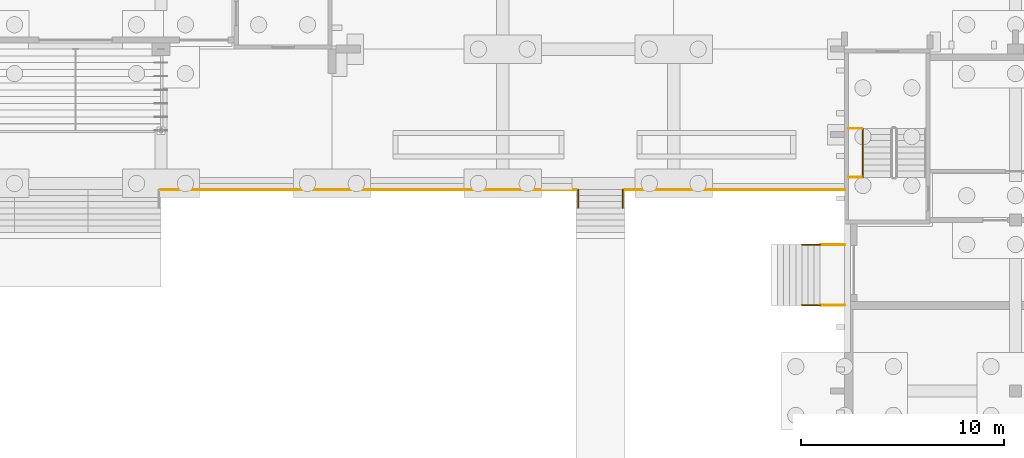
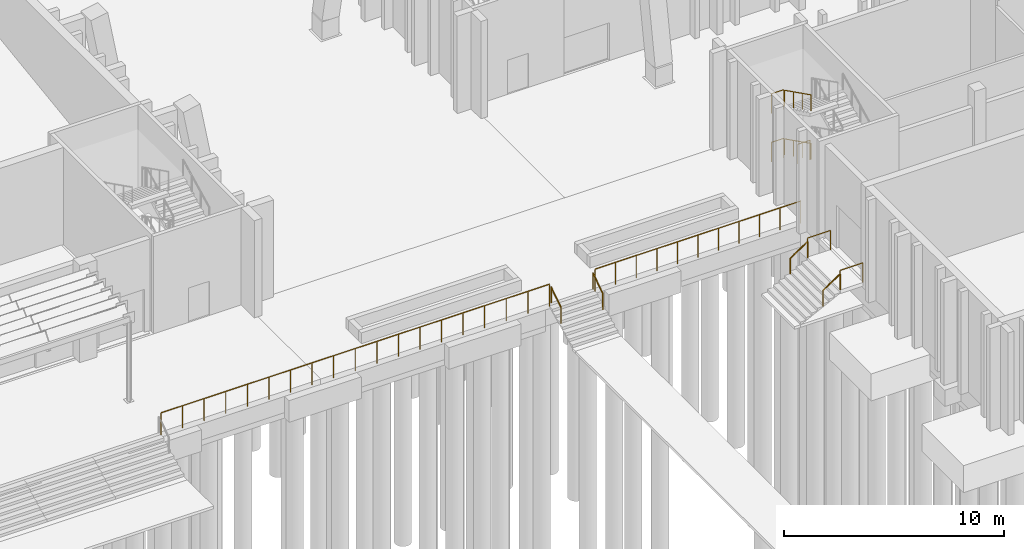
# One storey, part 111 of 129: 13 railings.
"""IFC4 building model written with IfcOpenShell, lengths in metres."""

from ifc_helpers import new_model, si_unit, direction, frame, origin, origin_2d, place, context, subcontext, project, spatial, circle, extrude, material, type_object, element, save


model = new_model("IFC4")

# Units and contexts
model_context = context("Model", 3, precision=1e-05, world=origin(), true_north=direction((0.0, 1.0)))
body_context = subcontext(model_context, "Body", "Model", "MODEL_VIEW")
ifc_project = project(units=[si_unit("LENGTHUNIT", "METRE"), si_unit("AREAUNIT", "SQUARE_METRE"), si_unit("VOLUMEUNIT", "CUBIC_METRE"), si_unit("PLANEANGLEUNIT", "RADIAN"), si_unit("MASSUNIT", "GRAM", prefix="KILO")], contexts=[model_context])

# Site, building, storey
site_placement = place(None, origin())
site = spatial("IfcSite", under=ifc_project, at=site_placement, CompositionType="ELEMENT")
building_placement = place(site_placement, origin())
building = spatial("IfcBuilding", under=site, at=building_placement, Name="Kiln Court Media Centre", CompositionType="ELEMENT")
storey_placement = place(building_placement, origin())
storey = spatial("IfcBuildingStorey", under=building, at=storey_placement, Name="L00", CompositionType="ELEMENT", Elevation=0.0)

# Railings
ifc_material_1 = material(Name="Steel S275", Category="steel")
railing_type_1 = type_object("IfcRailingType", Name="Steel S275 stair guard 1100", PredefinedType="GUARDRAIL", material=ifc_material_1)
for number, where, name in (
    (1, (126.85009765625, 21.300048828125, 1.35009765625), "ST-16 landing edge guard"),
    (2, (126.85009765625, 18.89990234375, 2.699951171875), "ST-16 landing edge guard"),
    (3, (126.85009765625, 21.300048828125, 4.050048828125), "ST-16 landing edge guard"),
):
    element("IfcRailing", number, at=place(storey_placement, frame(where)), inside=storey, type_object=railing_type_1, Name=name, PredefinedType="GUARDRAIL", context=body_context, shape_type="SweptSolid", body=[
        extrude(circle(Radius=0.02392578125, at=origin_2d()), frame((0.0, 0.0, 1.076171875), z_axis=(-1.0, 0.0, 0.0), x_axis=(0.0, -1.0, 0.0)), (0.0, 0.0, 1.0), 0.650146484375),
        extrude(circle(Radius=0.02099609375, at=origin_2d()), origin(), (0.0, 0.0, 1.0), 1.052001953125),
        extrude(circle(Radius=0.02099609375, at=origin_2d()), frame((-0.650146484375, 0.0, 0.0)), (0.0, 0.0, 1.0), 1.052001953125),
    ])
ifc_material_2 = material(Name="Steel S275", Category="steel")
railing_type_2 = type_object("IfcRailingType", Name="Steel S275 stair handrail 900", PredefinedType="HANDRAIL", material=ifc_material_2)
for number, where, name in (
    (4, (126.89990234375, 21.300048828125, 1.5), "ST-16 stair handrail"),
    (5, (126.89990234375, 21.300048828125, 4.199951171875), "ST-16 stair handrail"),
):
    element("IfcRailing", number, at=place(storey_placement, frame(where)), inside=storey, type_object=railing_type_2, Name=name, PredefinedType="HANDRAIL", context=body_context, shape_type="SweptSolid", body=[
        extrude(circle(Radius=0.02392578125, at=origin_2d()), frame((0.0, 0.0, 0.8759765625), z_axis=(0.0, -0.894445386687, 0.447177202275), x_axis=(1.0, 0.0, 0.0)), (0.0, 0.0, 1.0), 2.683349609375),
        extrude(circle(Radius=0.02099609375, at=origin_2d()), origin(), (0.0, 0.0, 1.0), 0.851806640625),
        extrude(circle(Radius=0.02099609375, at=origin_2d()), frame((0.0, -0.800048828125, 0.39990234375)), (0.0, 0.0, 1.0), 0.851806640625),
        extrude(circle(Radius=0.02099609375, at=origin_2d()), frame((0.0, -1.60009765625, 0.800048828125)), (0.0, 0.0, 1.0), 0.851806640625),
        extrude(circle(Radius=0.02099609375, at=origin_2d()), frame((0.0, -2.400146484375, 1.199951171875)), (0.0, 0.0, 1.0), 0.851806640625),
    ])
ifc_material_3 = material(Name="Steel ASTM A572 Gr 50", Category="steel")
railing_type_3 = type_object("IfcRailingType", Name="Steel guard rail 1100", PredefinedType="GUARDRAIL", material=ifc_material_3)
railing_1_placement = place(storey_placement, frame((92.39990234375, 18.279052734375, -0.14990234375)))
element("IfcRailing", 6, at=railing_1_placement, inside=storey, type_object=railing_type_3, Name="Deck edge guard 3", PredefinedType="GUARDRAIL", context=body_context, shape_type="SweptSolid", body=[
    extrude(circle(Radius=0.02392578125, at=origin_2d()), frame((0.0, 0.0, 1.22607421875), z_axis=(1.0, 0.0, 0.0), x_axis=(0.0, 1.0, 0.0)), (0.0, 0.0, 1.0), 20.400146484375),
    extrude(circle(Radius=0.02099609375, at=origin_2d()), origin(), (0.0, 0.0, 1.0), 1.201904296875),
    extrude(circle(Radius=0.02099609375, at=origin_2d()), frame((1.13330078125, 0.0, 0.0)), (0.0, 0.0, 1.0), 1.201904296875),
    extrude(circle(Radius=0.02099609375, at=origin_2d()), frame((2.2666015625, 0.0, 0.0)), (0.0, 0.0, 1.0), 1.201904296875),
    extrude(circle(Radius=0.02099609375, at=origin_2d()), frame((3.39990234375, 0.0, 0.0)), (0.0, 0.0, 1.0), 1.201904296875),
    extrude(circle(Radius=0.02099609375, at=origin_2d()), frame((4.533447265625, 0.0, 0.0)), (0.0, 0.0, 1.0), 1.201904296875),
    extrude(circle(Radius=0.02099609375, at=origin_2d()), frame((5.666748046875, 0.0, 0.0)), (0.0, 0.0, 1.0), 1.201904296875),
    extrude(circle(Radius=0.02099609375, at=origin_2d()), frame((6.800048828125, 0.0, 0.0)), (0.0, 0.0, 1.0), 1.201904296875),
    extrude(circle(Radius=0.02099609375, at=origin_2d()), frame((7.933349609375, 0.0, 0.0)), (0.0, 0.0, 1.0), 1.201904296875),
    extrude(circle(Radius=0.02099609375, at=origin_2d()), frame((9.066650390625, 0.0, 0.0)), (0.0, 0.0, 1.0), 1.201904296875),
    extrude(circle(Radius=0.02099609375, at=origin_2d()), frame((10.2001953125, 0.0, 0.0)), (0.0, 0.0, 1.0), 1.201904296875),
    extrude(circle(Radius=0.02099609375, at=origin_2d()), frame((11.33349609375, 0.0, 0.0)), (0.0, 0.0, 1.0), 1.201904296875),
    extrude(circle(Radius=0.02099609375, at=origin_2d()), frame((12.466796875, 0.0, 0.0)), (0.0, 0.0, 1.0), 1.201904296875),
    extrude(circle(Radius=0.02099609375, at=origin_2d()), frame((13.60009765625, 0.0, 0.0)), (0.0, 0.0, 1.0), 1.201904296875),
    extrude(circle(Radius=0.02099609375, at=origin_2d()), frame((14.7333984375, 0.0, 0.0)), (0.0, 0.0, 1.0), 1.201904296875),
    extrude(circle(Radius=0.02099609375, at=origin_2d()), frame((15.86669921875, 0.0, 0.0)), (0.0, 0.0, 1.0), 1.201904296875),
    extrude(circle(Radius=0.02099609375, at=origin_2d()), frame((17.0, 0.0, 0.0)), (0.0, 0.0, 1.0), 1.201904296875),
    extrude(circle(Radius=0.02099609375, at=origin_2d()), frame((18.133544921875, 0.0, 0.0)), (0.0, 0.0, 1.0), 1.201904296875),
    extrude(circle(Radius=0.02099609375, at=origin_2d()), frame((19.266845703125, 0.0, 0.0)), (0.0, 0.0, 1.0), 1.201904296875),
    extrude(circle(Radius=0.02099609375, at=origin_2d()), frame((20.400146484375, 0.0, 0.0)), (0.0, 0.0, 1.0), 1.201904296875),
])
railing_2_placement = place(storey_placement, frame((115.199951171875, 18.279052734375, -0.14990234375)))
element("IfcRailing", 7, at=railing_2_placement, inside=storey, type_object=railing_type_3, Name="Deck edge guard 4", PredefinedType="GUARDRAIL", context=body_context, shape_type="SweptSolid", body=[
    extrude(circle(Radius=0.02392578125, at=origin_2d()), frame((0.0, 0.0, 1.22607421875), z_axis=(1.0, 0.0, 0.0), x_axis=(0.0, 1.0, 0.0)), (0.0, 0.0, 1.0), 10.800048828125),
    extrude(circle(Radius=0.02099609375, at=origin_2d()), origin(), (0.0, 0.0, 1.0), 1.201904296875),
    extrude(circle(Radius=0.02099609375, at=origin_2d()), frame((1.080078125, 0.0, 0.0)), (0.0, 0.0, 1.0), 1.201904296875),
    extrude(circle(Radius=0.02099609375, at=origin_2d()), frame((2.159912109375, 0.0, 0.0)), (0.0, 0.0, 1.0), 1.201904296875),
    extrude(circle(Radius=0.02099609375, at=origin_2d()), frame((3.239990234375, 0.0, 0.0)), (0.0, 0.0, 1.0), 1.201904296875),
    extrude(circle(Radius=0.02099609375, at=origin_2d()), frame((4.320068359375, 0.0, 0.0)), (0.0, 0.0, 1.0), 1.201904296875),
    extrude(circle(Radius=0.02099609375, at=origin_2d()), frame((5.39990234375, 0.0, 0.0)), (0.0, 0.0, 1.0), 1.201904296875),
    extrude(circle(Radius=0.02099609375, at=origin_2d()), frame((6.47998046875, 0.0, 0.0)), (0.0, 0.0, 1.0), 1.201904296875),
    extrude(circle(Radius=0.02099609375, at=origin_2d()), frame((7.56005859375, 0.0, 0.0)), (0.0, 0.0, 1.0), 1.201904296875),
    extrude(circle(Radius=0.02099609375, at=origin_2d()), frame((8.64013671875, 0.0, 0.0)), (0.0, 0.0, 1.0), 1.201904296875),
    extrude(circle(Radius=0.02099609375, at=origin_2d()), frame((9.719970703125, 0.0, 0.0)), (0.0, 0.0, 1.0), 1.201904296875),
    extrude(circle(Radius=0.02099609375, at=origin_2d()), frame((10.800048828125, 0.0, 0.0)), (0.0, 0.0, 1.0), 1.201904296875),
])
for number, where, name in (
    (8, (124.800048828125, 12.6201171875, 0.0), "EN-10 landing guard"),
    (9, (124.800048828125, 15.580078125, 0.0), "EN-10 landing guard"),
):
    element("IfcRailing", number, at=place(storey_placement, frame(where)), inside=storey, type_object=railing_type_3, Name=name, PredefinedType="GUARDRAIL", context=body_context, shape_type="SweptSolid", body=[
        extrude(circle(Radius=0.02392578125, at=origin_2d()), frame((0.0, 0.0, 1.076171875), z_axis=(1.0, 0.0, 0.0), x_axis=(0.0, 1.0, 0.0)), (0.0, 0.0, 1.0), 1.199951171875),
        extrude(circle(Radius=0.02099609375, at=origin_2d()), origin(), (0.0, 0.0, 1.0), 1.052001953125),
        extrude(circle(Radius=0.02099609375, at=origin_2d()), frame((1.199951171875, 0.0, 0.0)), (0.0, 0.0, 1.0), 1.052001953125),
    ])
ifc_material_4 = material(Name="Steel ASTM A572 Gr 50", Category="steel")
railing_type_4 = type_object("IfcRailingType", Name="Steel handrail 900", PredefinedType="HANDRAIL", material=ifc_material_4)
for number, where, name in (
    (10, (112.89990234375, 17.39990234375, -0.60009765625), "Steps handrail"),
    (11, (115.10009765625, 17.39990234375, -0.60009765625), "Steps handrail"),
):
    element("IfcRailing", number, at=place(storey_placement, frame(where)), inside=storey, type_object=railing_type_4, Name=name, PredefinedType="HANDRAIL", context=body_context, shape_type="SweptSolid", body=[
        extrude(circle(Radius=0.02392578125, at=origin_2d()), frame((0.0, 0.0, 0.8759765625), z_axis=(0.0, 0.832050294338, 0.554700196225), x_axis=(-1.0, 0.0, 0.0)), (0.0, 0.0, 1.0), 1.081787109375),
        extrude(circle(Radius=0.02099609375, at=origin_2d()), origin(), (0.0, 0.0, 1.0), 0.851806640625),
        extrude(circle(Radius=0.02099609375, at=origin_2d()), frame((0.0, 0.900146484375, 0.60009765625)), (0.0, 0.0, 1.0), 0.851806640625),
    ])
for number, where, name in (
    (12, (123.89990234375, 12.6201171875, -0.60009765625), "EN-10 steps handrail"),
    (13, (123.89990234375, 15.580078125, -0.60009765625), "EN-10 steps handrail"),
):
    element("IfcRailing", number, at=place(storey_placement, frame(where)), inside=storey, type_object=railing_type_4, Name=name, PredefinedType="HANDRAIL", context=body_context, shape_type="SweptSolid", body=[
        extrude(circle(Radius=0.02392578125, at=origin_2d()), frame((0.0, 0.0, 0.8759765625), z_axis=(0.832050294338, 0.0, 0.554700196225), x_axis=(0.0, 1.0, 0.0)), (0.0, 0.0, 1.0), 1.081787109375),
        extrude(circle(Radius=0.02099609375, at=origin_2d()), origin(), (0.0, 0.0, 1.0), 0.851806640625),
        extrude(circle(Radius=0.02099609375, at=origin_2d()), frame((0.900146484375, 0.0, 0.60009765625)), (0.0, 0.0, 1.0), 0.851806640625),
    ])

save(model, "model.ifc")
